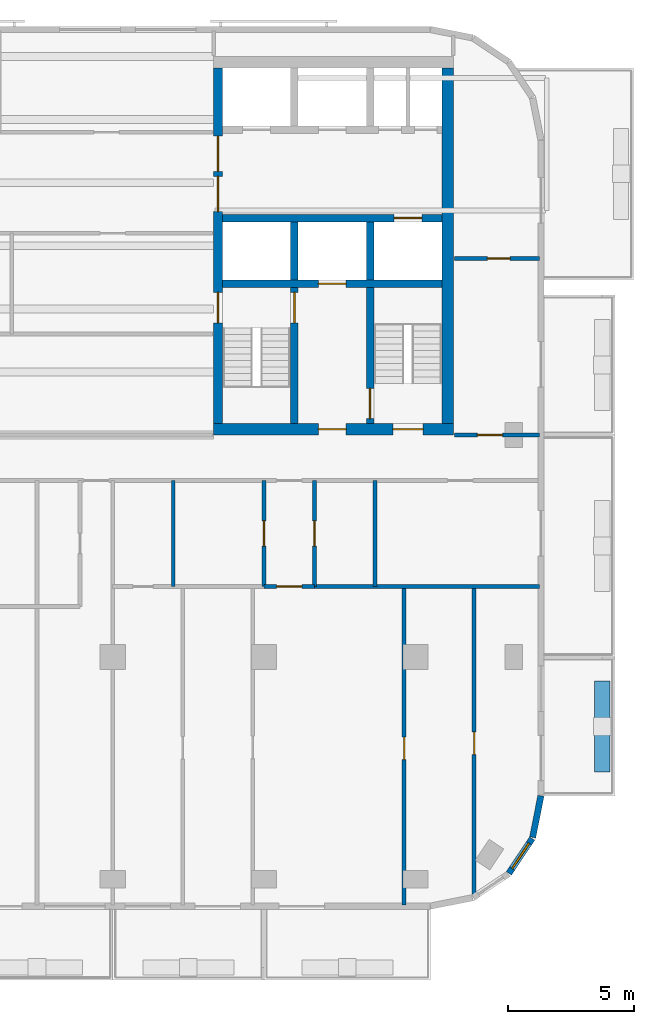
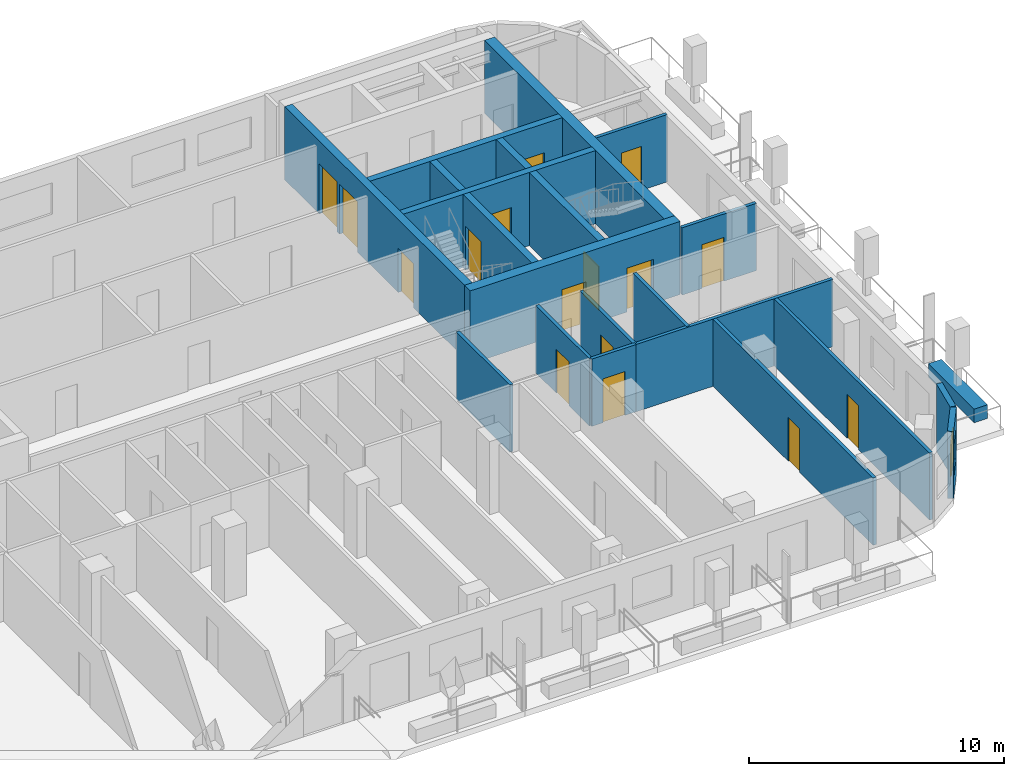
# One storey, part 5 of 11: 22 walls, 16 doors, 1 window, 17 openings.
"""IFC4 building model written with IfcOpenShell, lengths in metres."""

from ifc_helpers import new_model, si_unit, direction, frame, frame_2d, origin, place, context, subcontext, project, spatial, rectangle, extrude, material, layer, layer_set, type_object, element, fill, save


model = new_model("IFC4")

# Units and contexts
model_context = context("Model", 3, precision=1e-05, world=origin(), true_north=direction((0.0, 1.0)))
body_context = subcontext(model_context, "Body", "Model", "MODEL_VIEW")
ifc_project = project(units=[si_unit("LENGTHUNIT", "METRE"), si_unit("AREAUNIT", "SQUARE_METRE"), si_unit("VOLUMEUNIT", "CUBIC_METRE"), si_unit("PLANEANGLEUNIT", "RADIAN"), si_unit("MASSUNIT", "GRAM", prefix="KILO")], contexts=[model_context])

# Site, building, storey
site_placement = place(None, origin())
site = spatial("IfcSite", under=ifc_project, at=site_placement, CompositionType="ELEMENT")
building_placement = place(site_placement, origin())
building = spatial("IfcBuilding", under=site, at=building_placement, Name="Torana Hotel and Residences", CompositionType="ELEMENT")
storey_placement = place(building_placement, frame((0.0, 0.0, 291.10009765625)))
storey = spatial("IfcBuildingStorey", under=building, at=storey_placement, Name="L77", CompositionType="ELEMENT", Elevation=291.10009765625)

# Wall, opening, door
ifc_material_1 = material(Name="Concrete C60/75", Category="concrete")
ifc_layer_1 = layer(ifc_material_1, 0.300048828125)
ifc_layer_set_1 = layer_set([ifc_layer_1], Name="CORE WALL 300 C60/75")
wall_type_1 = type_object("IfcWallType", Name="CORE WALL 300 C60/75", PredefinedType="SHEAR", material=ifc_layer_set_1)
wall_1_placement = place(storey_placement, frame((10.35009765625, -6.39990234375, 0.0), z_axis=(0.0, 0.0, 1.0), x_axis=(1.0, 0.0, 0.0)))
wall_1 = element("IfcWall", 1, at=wall_1_placement, inside=storey, type_object=wall_type_1, Name="Core wall E row-S", PredefinedType="SHEAR", context=body_context, shape_type="SweptSolid", body=[
    extrude(rectangle(XDim=8.699951171875, YDim=0.300048828125, at=frame_2d((4.35009765625, 0.0))), origin(), (0.0, 0.0, 1.0), 3.5),
])
opening_1_placement = place(wall_1_placement, frame((6.800048828125, 0.0, 0.0)))
opening_1 = element("IfcOpeningElement", 2, at=opening_1_placement, cuts=wall_1, Name="Opening LD", PredefinedType="OPENING", context=body_context, shape_type="SweptSolid", body=[
    extrude(rectangle(XDim=1.10009765625, YDim=2.10009765625, at=frame_2d((0.550048828125, 1.050048828125))), frame((0.0, 0.159912109375, 0.0), z_axis=(0.0, -1.0, 0.0), x_axis=(1.0, 0.0, 0.0)), (0.0, 0.0, 1.0), 0.320068359375),
])
ifc_material_2 = material(Name="Stainless steel 316", Category="steel")
door_type_1 = type_object("IfcDoorType", Name="LIFT LANDING DOOR LD 1100x2100", OperationType="DOUBLE_DOOR_SLIDING", PredefinedType="USERDEFINED", material=ifc_material_2)
door_1_placement = place(opening_1_placement, origin())
door_1 = element("IfcDoor", 3, at=door_1_placement, inside=storey, type_object=door_type_1, Name="Lift landing door SV2 L77", ObjectType="LIFT LANDING DOOR", OperationType="DOUBLE_DOOR_SLIDING", OverallHeight=2.10009765625, OverallWidth=1.10009765625, PredefinedType="USERDEFINED", context=body_context, shape_type="SweptSolid", body=[
    extrude(rectangle(XDim=1.10009765625, YDim=2.10009765625, at=frame_2d((0.550048828125, 1.050048828125))), frame((0.0, 0.02490234375, 0.0), z_axis=(0.0, -1.0, 0.0), x_axis=(1.0, 0.0, 0.0)), (0.0, 0.0, 1.0), 0.050048828125),
])
fill(opening_1, door_1)

wall_2_placement = place(storey_placement, frame((10.35009765625, -9.0, 0.0), z_axis=(0.0, 0.0, 1.0), x_axis=(1.0, 0.0, 0.0)))
wall_2 = element("IfcWall", 4, at=wall_2_placement, inside=storey, type_object=wall_type_1, Name="Core wall E band", PredefinedType="SHEAR", context=body_context, shape_type="SweptSolid", body=[
    extrude(rectangle(XDim=8.699951171875, YDim=0.300048828125, at=frame_2d((4.35009765625, 0.0))), origin(), (0.0, 0.0, 1.0), 3.5),
])
opening_2_placement = place(wall_2_placement, frame((3.800048828125, 0.0, 0.0)))
opening_2 = element("IfcOpeningElement", 5, at=opening_2_placement, cuts=wall_2, Name="Opening LD", PredefinedType="OPENING", context=body_context, shape_type="SweptSolid", body=[
    extrude(rectangle(XDim=1.10009765625, YDim=2.10009765625, at=frame_2d((0.550048828125, 1.050048828125))), frame((0.0, 0.159912109375, 0.0), z_axis=(0.0, -1.0, 0.0), x_axis=(1.0, 0.0, 0.0)), (0.0, 0.0, 1.0), 0.320068359375),
])
door_2_placement = place(opening_2_placement, origin())
door_2 = element("IfcDoor", 6, at=door_2_placement, inside=storey, type_object=door_type_1, Name="Lift landing door FF2 L77", ObjectType="LIFT LANDING DOOR", OperationType="DOUBLE_DOOR_SLIDING", OverallHeight=2.10009765625, OverallWidth=1.10009765625, PredefinedType="USERDEFINED", context=body_context, shape_type="SweptSolid", body=[
    extrude(rectangle(XDim=1.10009765625, YDim=2.10009765625, at=frame_2d((0.550048828125, 1.050048828125))), frame((0.0, 0.02490234375, 0.0), z_axis=(0.0, -1.0, 0.0), x_axis=(1.0, 0.0, 0.0)), (0.0, 0.0, 1.0), 0.050048828125),
])
fill(opening_2, door_2)

# Wall
wall_3_placement = place(storey_placement, frame((13.199951171875, -8.85009765625, 0.0), z_axis=(0.0, 0.0, 1.0), x_axis=(0.0, 1.0, 0.0)))
element("IfcWall", 7, at=wall_3_placement, inside=storey, type_object=wall_type_1, Name="Core wall E x3.05-S", PredefinedType="SHEAR", context=body_context, shape_type="SweptSolid", body=[
    extrude(rectangle(XDim=2.300048828125, YDim=0.300048828125, at=frame_2d((1.14990234375, 0.0))), origin(), (0.0, 0.0, 1.0), 3.5),
])

# Wall, opening, door
wall_4_placement = place(storey_placement, frame((13.199951171875, -14.550048828125, 0.0), z_axis=(0.0, 0.0, 1.0), x_axis=(0.0, 1.0, 0.0)))
wall_4 = element("IfcWall", 8, at=wall_4_placement, inside=storey, type_object=wall_type_1, Name="Core wall E x3.05-band", PredefinedType="SHEAR", context=body_context, shape_type="SweptSolid", body=[
    extrude(rectangle(XDim=5.400146484375, YDim=0.300048828125, at=frame_2d((2.7001953125, 0.0))), origin(), (0.0, 0.0, 1.0), 3.5),
])
opening_3_placement = place(wall_4_placement, frame((4.0, 0.0, 0.0)))
opening_3 = element("IfcOpeningElement", 9, at=opening_3_placement, cuts=wall_4, Name="Opening L77-17", PredefinedType="OPENING", context=body_context, shape_type="SweptSolid", body=[
    extrude(rectangle(XDim=1.199951171875, YDim=2.10009765625, at=frame_2d((0.60009765625, 1.050048828125))), frame((0.0, 0.159912109375, 0.0), z_axis=(0.0, -1.0, 0.0), x_axis=(1.0, 0.0, 0.0)), (0.0, 0.0, 1.0), 0.320068359375),
])
ifc_material_3 = material(Name="Steel S235", Category="steel")
door_type_2 = type_object("IfcDoorType", Name="STAIR FIRE DOOR D3 1200x2100", OperationType="SINGLE_SWING_LEFT", PredefinedType="DOOR", material=ifc_material_3)
door_3_placement = place(opening_3_placement, origin())
door_3 = element("IfcDoor", 10, at=door_3_placement, inside=storey, type_object=door_type_2, Name="Stair-A-lobby door L77", OperationType="SINGLE_SWING_LEFT", OverallHeight=2.10009765625, OverallWidth=1.199951171875, PredefinedType="DOOR", context=body_context, shape_type="SweptSolid", body=[
    extrude(rectangle(XDim=1.199951171875, YDim=2.10009765625, at=frame_2d((0.60009765625, 1.050048828125))), frame((0.0, 0.02490234375, 0.0), z_axis=(0.0, -1.0, 0.0), x_axis=(1.0, 0.0, 0.0)), (0.0, 0.0, 1.0), 0.050048828125),
])
fill(opening_3, door_3)

# Wall
wall_5_placement = place(storey_placement, frame((16.199951171875, -8.85009765625, 0.0), z_axis=(0.0, 0.0, 1.0), x_axis=(0.0, 1.0, 0.0)))
element("IfcWall", 11, at=wall_5_placement, inside=storey, type_object=wall_type_1, Name="Core wall E x6.05-S", PredefinedType="SHEAR", context=body_context, shape_type="SweptSolid", body=[
    extrude(rectangle(XDim=2.300048828125, YDim=0.300048828125, at=frame_2d((1.14990234375, 0.0))), origin(), (0.0, 0.0, 1.0), 3.5),
])

# Wall, opening, door
wall_6_placement = place(storey_placement, frame((16.199951171875, -14.550048828125, 0.0), z_axis=(0.0, 0.0, 1.0), x_axis=(0.0, 1.0, 0.0)))
wall_6 = element("IfcWall", 12, at=wall_6_placement, inside=storey, type_object=wall_type_1, Name="Core wall E x6.05-band", PredefinedType="SHEAR", context=body_context, shape_type="SweptSolid", body=[
    extrude(rectangle(XDim=5.400146484375, YDim=0.300048828125, at=frame_2d((2.7001953125, 0.0))), origin(), (0.0, 0.0, 1.0), 3.5),
])
opening_4_placement = place(wall_6_placement, frame((0.199951171875, 0.0, 0.0)))
opening_4 = element("IfcOpeningElement", 13, at=opening_4_placement, cuts=wall_6, Name="Opening L77-18", PredefinedType="OPENING", context=body_context, shape_type="SweptSolid", body=[
    extrude(rectangle(XDim=1.199951171875, YDim=2.10009765625, at=frame_2d((0.60009765625, 1.050048828125))), frame((0.0, 0.159912109375, 0.0), z_axis=(0.0, -1.0, 0.0), x_axis=(1.0, 0.0, 0.0)), (0.0, 0.0, 1.0), 0.320068359375),
])
door_4_placement = place(opening_4_placement, frame((0.60009765625, 0.0, 0.0), z_axis=(0.0, 0.0, 1.0), x_axis=(-1.0, 0.0, 0.0)))
door_4 = element("IfcDoor", 14, at=door_4_placement, inside=storey, type_object=door_type_2, Name="Stair-B-lobby door L77", OperationType="SINGLE_SWING_LEFT", OverallHeight=2.10009765625, OverallWidth=1.199951171875, PredefinedType="DOOR", context=body_context, shape_type="SweptSolid", body=[
    extrude(rectangle(XDim=1.199951171875, YDim=2.10009765625, at=frame_2d((0.0, 1.050048828125))), frame((0.0, -0.02490234375, 0.0), z_axis=(0.0, 1.0, 0.0), x_axis=(-1.0, 0.0, 0.0)), (0.0, 0.0, 1.0), 0.050048828125),
])
fill(opening_4, door_4)

# Wall, openings, doors
ifc_material_4 = material(Name="Concrete C60/75", Category="concrete")
ifc_layer_2 = layer(ifc_material_4, 0.35009765625)
ifc_layer_set_2 = layer_set([ifc_layer_2], Name="CORE WALL 350 C60/75")
wall_type_2 = type_object("IfcWallType", Name="CORE WALL 350 C60/75", PredefinedType="SHEAR", material=ifc_layer_set_2)
wall_7_placement = place(storey_placement, frame((10.175048828125, -14.550048828125, 0.0), z_axis=(0.0, 0.0, 1.0), x_axis=(0.0, 1.0, 0.0)))
wall_7 = element("IfcWall", 15, at=wall_7_placement, inside=storey, type_object=wall_type_2, Name="Core wall E arch", PredefinedType="SHEAR", context=body_context, shape_type="SweptSolid", body=[
    extrude(rectangle(XDim=14.10009765625, YDim=0.35009765625, at=frame_2d((7.050048828125, 0.0))), origin(), (0.0, 0.0, 1.0), 3.5),
])
opening_5_placement = place(wall_7_placement, frame((8.39990234375, 0.0, 0.0)))
opening_5 = element("IfcOpeningElement", 16, at=opening_5_placement, cuts=wall_7, Name="Opening L77-10", PredefinedType="OPENING", context=body_context, shape_type="SweptSolid", body=[
    extrude(rectangle(XDim=1.39990234375, YDim=2.39990234375, at=frame_2d((0.699951171875, 1.199951171875))), frame((0.0, 0.18505859375, 0.0), z_axis=(0.0, -1.0, 0.0), x_axis=(1.0, 0.0, 0.0)), (0.0, 0.0, 1.0), 0.3701171875),
])
opening_6_placement = place(wall_7_placement, frame((10.0, 0.0, 0.0)))
opening_6 = element("IfcOpeningElement", 17, at=opening_6_placement, cuts=wall_7, Name="Opening L77-11", PredefinedType="OPENING", context=body_context, shape_type="SweptSolid", body=[
    extrude(rectangle(XDim=1.39990234375, YDim=2.39990234375, at=frame_2d((0.699951171875, 1.199951171875))), frame((0.0, 0.18505859375, 0.0), z_axis=(0.0, -1.0, 0.0), x_axis=(1.0, 0.0, 0.0)), (0.0, 0.0, 1.0), 0.3701171875),
])
opening_7_placement = place(wall_7_placement, frame((4.0, 0.0, 0.0)))
opening_7 = element("IfcOpeningElement", 18, at=opening_7_placement, cuts=wall_7, Name="Opening L77-12", PredefinedType="OPENING", context=body_context, shape_type="SweptSolid", body=[
    extrude(rectangle(XDim=1.199951171875, YDim=2.10009765625, at=frame_2d((0.60009765625, 1.050048828125))), frame((0.0, 0.18505859375, 0.0), z_axis=(0.0, -1.0, 0.0), x_axis=(1.0, 0.0, 0.0)), (0.0, 0.0, 1.0), 0.3701171875),
])
ifc_material_5 = material(Name="Steel S235", Category="steel")
door_type_3 = type_object("IfcDoorType", Name="LOBBY FIRE DOOR D4 1400x2400", OperationType="DOUBLE_DOOR_SINGLE_SWING", PredefinedType="DOOR", material=ifc_material_5)
door_5_placement = place(opening_5_placement, origin())
door_5 = element("IfcDoor", 19, at=door_5_placement, inside=storey, type_object=door_type_3, Name="Lobby-1 door L77", OperationType="DOUBLE_DOOR_SINGLE_SWING", OverallHeight=2.39990234375, OverallWidth=1.39990234375, PredefinedType="DOOR", context=body_context, shape_type="SweptSolid", body=[
    extrude(rectangle(XDim=1.39990234375, YDim=2.39990234375, at=frame_2d((0.699951171875, 1.199951171875))), frame((0.0, 0.02490234375, 0.0), z_axis=(0.0, -1.0, 0.0), x_axis=(1.0, 0.0, 0.0)), (0.0, 0.0, 1.0), 0.050048828125),
])
fill(opening_5, door_5)
door_6_placement = place(opening_6_placement, origin())
door_6 = element("IfcDoor", 20, at=door_6_placement, inside=storey, type_object=door_type_3, Name="Lobby-2 door L77", OperationType="DOUBLE_DOOR_SINGLE_SWING", OverallHeight=2.39990234375, OverallWidth=1.39990234375, PredefinedType="DOOR", context=body_context, shape_type="SweptSolid", body=[
    extrude(rectangle(XDim=1.39990234375, YDim=2.39990234375, at=frame_2d((0.699951171875, 1.199951171875))), frame((0.0, 0.02490234375, 0.0), z_axis=(0.0, -1.0, 0.0), x_axis=(1.0, 0.0, 0.0)), (0.0, 0.0, 1.0), 0.050048828125),
])
fill(opening_6, door_6)
door_7_placement = place(opening_7_placement, frame((0.60009765625, 0.0, 0.0), z_axis=(0.0, 0.0, 1.0), x_axis=(-1.0, 0.0, 0.0)))
door_7 = element("IfcDoor", 21, at=door_7_placement, inside=storey, type_object=door_type_2, Name="Stair-A door L77", OperationType="SINGLE_SWING_RIGHT", OverallHeight=2.10009765625, OverallWidth=1.199951171875, PredefinedType="DOOR", context=body_context, shape_type="SweptSolid", body=[
    extrude(rectangle(XDim=1.199951171875, YDim=2.10009765625, at=frame_2d((0.0, 1.050048828125))), frame((0.0, -0.02490234375, 0.0), z_axis=(0.0, 1.0, 0.0), x_axis=(-1.0, 0.0, 0.0)), (0.0, 0.0, 1.0), 0.050048828125),
])
fill(opening_7, door_7)

ifc_material_6 = material(Name="Concrete C60/75", Category="concrete")
ifc_layer_3 = layer(ifc_material_6, 0.449951171875)
ifc_layer_set_3 = layer_set([ifc_layer_3], Name="CORE WALL 450 C60/75")
wall_type_3 = type_object("IfcWallType", Name="CORE WALL 450 C60/75", PredefinedType="SHEAR", material=ifc_layer_set_3)
wall_8_placement = place(storey_placement, frame((10.0, -14.77490234375, 0.0), z_axis=(0.0, 0.0, 1.0), x_axis=(1.0, 0.0, 0.0)))
wall_8 = element("IfcWall", 22, at=wall_8_placement, inside=storey, type_object=wall_type_3, Name="Core wall E front", PredefinedType="SHEAR", context=body_context, shape_type="SweptSolid", body=[
    extrude(rectangle(XDim=9.5, YDim=0.449951171875, at=frame_2d((4.75, 0.0))), origin(), (0.0, 0.0, 1.0), 3.5),
])
opening_8_placement = place(wall_8_placement, frame((7.10009765625, 0.0, 0.0)))
opening_8 = element("IfcOpeningElement", 23, at=opening_8_placement, cuts=wall_8, Name="Opening L77-13", PredefinedType="OPENING", context=body_context, shape_type="SweptSolid", body=[
    extrude(rectangle(XDim=1.199951171875, YDim=2.10009765625, at=frame_2d((0.60009765625, 1.050048828125))), frame((0.0, 0.23486328125, 0.0), z_axis=(0.0, -1.0, 0.0), x_axis=(1.0, 0.0, 0.0)), (0.0, 0.0, 1.0), 0.469970703125),
])
opening_9_placement = place(wall_8_placement, frame((4.14990234375, 0.0, 0.0)))
opening_9 = element("IfcOpeningElement", 24, at=opening_9_placement, cuts=wall_8, Name="Opening L77-14", PredefinedType="OPENING", context=body_context, shape_type="SweptSolid", body=[
    extrude(rectangle(XDim=1.10009765625, YDim=2.10009765625, at=frame_2d((0.550048828125, 1.050048828125))), frame((0.0, 0.23486328125, 0.0), z_axis=(0.0, -1.0, 0.0), x_axis=(1.0, 0.0, 0.0)), (0.0, 0.0, 1.0), 0.469970703125),
])
ifc_material_7 = material(Name="Steel S235", Category="steel")
door_type_4 = type_object("IfcDoorType", Name="FIRE-FIGHTING LOBBY DOOR D8 1100x2100", OperationType="SINGLE_SWING_LEFT", PredefinedType="DOOR", material=ifc_material_7)
door_8_placement = place(opening_9_placement, origin())
door_8 = element("IfcDoor", 25, at=door_8_placement, inside=storey, type_object=door_type_4, Name="FF-lobby door L77", OperationType="SINGLE_SWING_RIGHT", OverallHeight=2.10009765625, OverallWidth=1.10009765625, PredefinedType="DOOR", context=body_context, shape_type="SweptSolid", body=[
    extrude(rectangle(XDim=1.10009765625, YDim=2.10009765625, at=frame_2d((0.550048828125, 1.050048828125))), frame((0.0, 0.02490234375, 0.0), z_axis=(0.0, -1.0, 0.0), x_axis=(1.0, 0.0, 0.0)), (0.0, 0.0, 1.0), 0.050048828125),
])
fill(opening_9, door_8)
door_9_placement = place(opening_8_placement, origin())
door_9 = element("IfcDoor", 26, at=door_9_placement, inside=storey, type_object=door_type_2, Name="Stair-B door L77", OperationType="SINGLE_SWING_RIGHT", OverallHeight=2.10009765625, OverallWidth=1.199951171875, PredefinedType="DOOR", context=body_context, shape_type="SweptSolid", body=[
    extrude(rectangle(XDim=1.199951171875, YDim=2.10009765625, at=frame_2d((0.60009765625, 1.050048828125))), frame((0.0, 0.02490234375, 0.0), z_axis=(0.0, -1.0, 0.0), x_axis=(1.0, 0.0, 0.0)), (0.0, 0.0, 1.0), 0.050048828125),
])
fill(opening_8, door_9)

# Wall
wall_9_placement = place(storey_placement, frame((19.27490234375, -14.550048828125, 0.0), z_axis=(0.0, 0.0, 1.0), x_axis=(0.0, 1.0, 0.0)))
element("IfcWall", 27, at=wall_9_placement, inside=storey, type_object=wall_type_3, Name="Core wall E outer", PredefinedType="SHEAR", context=body_context, shape_type="SweptSolid", body=[
    extrude(rectangle(XDim=14.10009765625, YDim=0.449951171875, at=frame_2d((7.050048828125, 0.0))), origin(), (0.0, 0.0, 1.0), 3.5),
])

# Wall, opening, window
ifc_material_8 = material(Name="Black aluminium composite panel", Category="aluminium")
ifc_layer_4 = layer(ifc_material_8, 0.00390625, Name="Cladding", Category="cladding")
ifc_material_9 = material(Name="Ventilated air cavity")
ifc_layer_5 = layer(ifc_material_9, 0.0400390625, Name="Ventilated cavity", Category="cavity")
ifc_material_10 = material(Name="Mineral wool insulation")
ifc_layer_6 = layer(ifc_material_10, 0.090087890625, Name="Insulation", Category="insulation")
ifc_material_11 = material(Name="Steel S280GD", Category="steel")
ifc_layer_7 = layer(ifc_material_11, 0.092041015625, Name="Steel stud frame", Category="structure")
ifc_material_12 = material(Name="Fire rated plasterboard")
ifc_layer_8 = layer(ifc_material_12, 0.011962890625, Name="Inner board", Category="finish")
ifc_layer_9 = layer(ifc_material_12, 0.011962890625, Name="Second board", Category="finish")
ifc_layer_set_4 = layer_set([ifc_layer_4, ifc_layer_5, ifc_layer_6, ifc_layer_7, ifc_layer_8, ifc_layer_9], Name="EW1 EXTERNAL WALL BLACK METAL CLAD 250")
wall_type_4 = type_object("IfcWallType", Name="EW1 EXTERNAL WALL BLACK METAL CLAD 250", PredefinedType="SOLIDWALL", material=ifc_layer_set_4)
wall_10_placement = place(storey_placement, frame((21.705810546875, -32.37109375, 0.0), z_axis=(0.0, 0.0, 1.0), x_axis=(0.55555029066, 0.831482937015, 0.0)))
wall_10 = element("IfcWall", 28, at=wall_10_placement, inside=storey, type_object=wall_type_4, Name="External wall L77 e0.17", PredefinedType="SOLIDWALL", context=body_context, shape_type="SweptSolid", body=[
    extrude(rectangle(XDim=1.65625, YDim=0.25, at=frame_2d((0.828125, 0.0))), origin(), (0.0, 0.0, 1.0), 3.219970703125),
])
opening_10_placement = place(wall_10_placement, frame((0.228271484375, 0.0, 0.89990234375)))
opening_10 = element("IfcOpeningElement", 29, at=opening_10_placement, cuts=wall_10, Name="Opening W5", PredefinedType="OPENING", context=body_context, shape_type="SweptSolid", body=[
    extrude(rectangle(XDim=1.199951171875, YDim=1.5, at=frame_2d((0.60009765625, 0.75))), frame((0.0, 0.135009765625, 0.0), z_axis=(0.0, -1.0, 0.0), x_axis=(1.0, 0.0, 0.0)), (0.0, 0.0, 1.0), 0.27001953125),
])
ifc_material_13 = material(Name="Dark glass in black aluminium frame", Category="aluminium")
window_type = type_object("IfcWindowType", Name="W5 CORNER FACET WINDOW 1200x1500", PartitioningType="SINGLE_PANEL", PredefinedType="WINDOW", material=ifc_material_13)
window_placement = place(opening_10_placement, origin())
window = element("IfcWindow", 30, at=window_placement, inside=storey, type_object=window_type, Name="Window L77 e0.17", OverallHeight=1.5, OverallWidth=1.199951171875, PartitioningType="SINGLE_PANEL", PredefinedType="WINDOW", context=body_context, shape_type="SweptSolid", body=[
    extrude(rectangle(XDim=1.199951171875, YDim=1.5, at=frame_2d((0.60009765625, 0.75))), frame((0.0, 0.030029296875, 0.0), z_axis=(0.0, -1.0, 0.0), x_axis=(1.0, 0.0, 0.0)), (0.0, 0.0, 1.0), 0.06005859375),
])
fill(opening_10, window)

# Wall
wall_11_placement = place(storey_placement, frame((22.64453125, -30.948974609375, 0.0), z_axis=(0.0, 0.0, 1.0), x_axis=(0.19513878023, 0.980775640221, 0.0)))
element("IfcWall", 31, at=wall_11_placement, inside=storey, type_object=wall_type_4, Name="External wall L77 e0.18", PredefinedType="SOLIDWALL", context=body_context, shape_type="SweptSolid", body=[
    extrude(rectangle(XDim=1.681396484375, YDim=0.25, at=frame_2d((0.8408203125, 0.0))), origin(), (0.0, 0.0, 1.0), 3.219970703125),
])

# Wall, opening, door
ifc_material_14 = material(Name="Gypsum plaster")
ifc_layer_10 = layer(ifc_material_14, 0.014892578125, Name="Plaster", Category="finish")
ifc_material_15 = material(Name="Concrete blockwork", Category="masonry")
ifc_layer_11 = layer(ifc_material_15, 0.1201171875, Name="Blockwork", Category="structure")
ifc_layer_12 = layer(ifc_material_14, 0.014892578125, Name="Plaster", Category="finish")
ifc_layer_set_5 = layer_set([ifc_layer_10, ifc_layer_11, ifc_layer_12], Name="FIRE PARTITION 150 BLOCKWORK")
wall_type_5 = type_object("IfcWallType", Name="FIRE PARTITION 150 BLOCKWORK", PredefinedType="PARTITIONING", material=ifc_layer_set_5)
wall_12_placement = place(storey_placement, frame((14.0, -21.0, 0.0), z_axis=(0.0, 0.0, 1.0), x_axis=(0.0, 1.0, 0.0)))
wall_12 = element("IfcWall", 32, at=wall_12_placement, inside=storey, type_object=wall_type_5, Name="Partition L77", PredefinedType="PARTITIONING", context=body_context, shape_type="SweptSolid", body=[
    extrude(rectangle(XDim=4.199951171875, YDim=0.14990234375, at=frame_2d((2.10009765625, 0.0))), origin(), (0.0, 0.0, 1.0), 3.219970703125),
])
opening_11_placement = place(wall_12_placement, frame((1.60009765625, 0.0, 0.0)))
opening_11 = element("IfcOpeningElement", 33, at=opening_11_placement, cuts=wall_12, Name="Opening L77-53", PredefinedType="OPENING", context=body_context, shape_type="SweptSolid", body=[
    extrude(rectangle(XDim=1.0, YDim=2.10009765625, at=frame_2d((0.5, 1.050048828125))), frame((0.0, 0.0849609375, 0.0), z_axis=(0.0, -1.0, 0.0), x_axis=(1.0, 0.0, 0.0)), (0.0, 0.0, 1.0), 0.169921875),
])
ifc_material_16 = material(Name="Steel S235", Category="steel")
door_type_5 = type_object("IfcDoorType", Name="ENTRY FIRE DOOR D6 1000x2100", OperationType="SINGLE_SWING_LEFT", PredefinedType="DOOR", material=ifc_material_16)
door_10_placement = place(opening_11_placement, frame((0.5, 0.0, 0.0), z_axis=(0.0, 0.0, 1.0), x_axis=(-1.0, 0.0, 0.0)))
door_10 = element("IfcDoor", 34, at=door_10_placement, inside=storey, type_object=door_type_5, Name="Door L77", OperationType="SINGLE_SWING_LEFT", OverallHeight=2.10009765625, OverallWidth=1.0, PredefinedType="DOOR", context=body_context, shape_type="SweptSolid", body=[
    extrude(rectangle(XDim=1.0, YDim=2.10009765625, at=frame_2d((0.0, 1.050048828125))), frame((0.0, -0.02490234375, 0.0), z_axis=(0.0, 1.0, 0.0), x_axis=(-1.0, 0.0, 0.0)), (0.0, 0.0, 1.0), 0.050048828125),
])
fill(opening_11, door_10)

wall_13_placement = place(storey_placement, frame((12.0, -21.0, 0.0), z_axis=(0.0, 0.0, 1.0), x_axis=(0.0, 1.0, 0.0)))
wall_13 = element("IfcWall", 35, at=wall_13_placement, inside=storey, type_object=wall_type_5, Name="Partition L77", PredefinedType="PARTITIONING", context=body_context, shape_type="SweptSolid", body=[
    extrude(rectangle(XDim=4.199951171875, YDim=0.14990234375, at=frame_2d((2.10009765625, 0.0))), origin(), (0.0, 0.0, 1.0), 3.219970703125),
])
opening_12_placement = place(wall_13_placement, frame((1.60009765625, 0.0, 0.0)))
opening_12 = element("IfcOpeningElement", 36, at=opening_12_placement, cuts=wall_13, Name="Opening L77-52", PredefinedType="OPENING", context=body_context, shape_type="SweptSolid", body=[
    extrude(rectangle(XDim=1.0, YDim=2.10009765625, at=frame_2d((0.5, 1.050048828125))), frame((0.0, 0.0849609375, 0.0), z_axis=(0.0, -1.0, 0.0), x_axis=(1.0, 0.0, 0.0)), (0.0, 0.0, 1.0), 0.169921875),
])
door_11_placement = place(opening_12_placement, origin())
door_11 = element("IfcDoor", 37, at=door_11_placement, inside=storey, type_object=door_type_5, Name="Door L77", OperationType="SINGLE_SWING_RIGHT", OverallHeight=2.10009765625, OverallWidth=1.0, PredefinedType="DOOR", context=body_context, shape_type="SweptSolid", body=[
    extrude(rectangle(XDim=1.0, YDim=2.10009765625, at=frame_2d((0.5, 1.050048828125))), frame((0.0, 0.02490234375, 0.0), z_axis=(0.0, -1.0, 0.0), x_axis=(1.0, 0.0, 0.0)), (0.0, 0.0, 1.0), 0.050048828125),
])
fill(opening_12, door_11)

wall_14_placement = place(storey_placement, frame((12.0, -21.0, 0.0), z_axis=(0.0, 0.0, 1.0), x_axis=(1.0, 0.0, 0.0)))
wall_14 = element("IfcWall", 38, at=wall_14_placement, inside=storey, type_object=wall_type_5, Name="Partition L77", PredefinedType="PARTITIONING", context=body_context, shape_type="SweptSolid", body=[
    extrude(rectangle(XDim=2.0, YDim=0.14990234375, at=frame_2d((1.0, 0.0))), origin(), (0.0, 0.0, 1.0), 3.219970703125),
])
opening_13_placement = place(wall_14_placement, frame((0.5, 0.0, 0.0)))
opening_13 = element("IfcOpeningElement", 39, at=opening_13_placement, cuts=wall_14, Name="Opening L77-54", PredefinedType="OPENING", context=body_context, shape_type="SweptSolid", body=[
    extrude(rectangle(XDim=1.0, YDim=2.10009765625, at=frame_2d((0.5, 1.050048828125))), frame((0.0, 0.0849609375, 0.0), z_axis=(0.0, -1.0, 0.0), x_axis=(1.0, 0.0, 0.0)), (0.0, 0.0, 1.0), 0.169921875),
])
door_12_placement = place(opening_13_placement, frame((0.5, 0.0, 0.0), z_axis=(0.0, 0.0, 1.0), x_axis=(-1.0, 0.0, 0.0)))
door_12 = element("IfcDoor", 40, at=door_12_placement, inside=storey, type_object=door_type_5, Name="Door L77", OperationType="SINGLE_SWING_LEFT", OverallHeight=2.10009765625, OverallWidth=1.0, PredefinedType="DOOR", context=body_context, shape_type="SweptSolid", body=[
    extrude(rectangle(XDim=1.0, YDim=2.10009765625, at=frame_2d((0.0, 1.050048828125))), frame((0.0, -0.02490234375, 0.0), z_axis=(0.0, 1.0, 0.0), x_axis=(-1.0, 0.0, 0.0)), (0.0, 0.0, 1.0), 0.050048828125),
])
fill(opening_13, door_12)

wall_15_placement = place(storey_placement, frame((19.550048828125, -15.0, 0.0), z_axis=(0.0, 0.0, 1.0), x_axis=(1.0, 0.0, 0.0)))
wall_15 = element("IfcWall", 41, at=wall_15_placement, inside=storey, type_object=wall_type_5, Name="Partition L77", PredefinedType="PARTITIONING", context=body_context, shape_type="SweptSolid", body=[
    extrude(rectangle(XDim=3.369873046875, YDim=0.14990234375, at=frame_2d((1.68505859375, 0.0))), origin(), (0.0, 0.0, 1.0), 3.219970703125),
])
opening_14_placement = place(wall_15_placement, frame((0.89990234375, 0.0, 0.0)))
opening_14 = element("IfcOpeningElement", 42, at=opening_14_placement, cuts=wall_15, Name="Opening L77-29", PredefinedType="OPENING", context=body_context, shape_type="SweptSolid", body=[
    extrude(rectangle(XDim=1.0, YDim=2.10009765625, at=frame_2d((0.5, 1.050048828125))), frame((0.0, 0.0849609375, 0.0), z_axis=(0.0, -1.0, 0.0), x_axis=(1.0, 0.0, 0.0)), (0.0, 0.0, 1.0), 0.169921875),
])
ifc_material_17 = material(Name="Steel S235", Category="steel")
door_type_6 = type_object("IfcDoorType", Name="CORE ROOM FIRE DOOR D14 1000x2100", OperationType="SINGLE_SWING_LEFT", PredefinedType="DOOR", material=ifc_material_17)
door_13_placement = place(opening_14_placement, origin())
door_13 = element("IfcDoor", 43, at=door_13_placement, inside=storey, type_object=door_type_6, Name="Door L77", OperationType="SINGLE_SWING_LEFT", OverallHeight=2.10009765625, OverallWidth=1.0, PredefinedType="DOOR", context=body_context, shape_type="SweptSolid", body=[
    extrude(rectangle(XDim=1.0, YDim=2.10009765625, at=frame_2d((0.5, 1.050048828125))), frame((0.0, 0.02490234375, 0.0), z_axis=(0.0, -1.0, 0.0), x_axis=(1.0, 0.0, 0.0)), (0.0, 0.0, 1.0), 0.050048828125),
])
fill(opening_14, door_13)

ifc_material_18 = material(Name="Gypsum plasterboard")
ifc_layer_13 = layer(ifc_material_18, 0.012451171875, Name="Plasterboard", Category="finish")
ifc_layer_14 = layer(ifc_material_18, 0.012451171875, Name="Plasterboard", Category="finish")
ifc_layer_15 = layer(ifc_material_11, 0.10009765625, Name="Steel studs with mineral wool", Category="insulation")
ifc_layer_16 = layer(ifc_material_18, 0.012451171875, Name="Plasterboard", Category="finish")
ifc_layer_17 = layer(ifc_material_18, 0.012451171875, Name="Plasterboard", Category="finish")
ifc_layer_set_6 = layer_set([ifc_layer_13, ifc_layer_14, ifc_layer_15, ifc_layer_16, ifc_layer_17], Name="PARTITION 150 PLASTERBOARD")
wall_type_6 = type_object("IfcWallType", Name="PARTITION 150 PLASTERBOARD", PredefinedType="PARTITIONING", material=ifc_layer_set_6)
wall_16_placement = place(storey_placement, frame((20.324951171875, -33.239013671875, 0.0), z_axis=(0.0, 0.0, 1.0), x_axis=(0.0, 1.0, 0.0)))
wall_16 = element("IfcWall", 44, at=wall_16_placement, inside=storey, type_object=wall_type_6, Name="Partition L77", PredefinedType="PARTITIONING", context=body_context, shape_type="SweptSolid", body=[
    extrude(rectangle(XDim=12.239013671875, YDim=0.14990234375, at=frame_2d((6.11962890625, 0.0))), origin(), (0.0, 0.0, 1.0), 3.219970703125),
])
opening_15_placement = place(wall_16_placement, frame((5.569091796875, 0.0, 0.0)))
opening_15 = element("IfcOpeningElement", 45, at=opening_15_placement, cuts=wall_16, Name="Opening L77-58", PredefinedType="OPENING", context=body_context, shape_type="SweptSolid", body=[
    extrude(rectangle(XDim=0.89990234375, YDim=2.10009765625, at=frame_2d((0.449951171875, 1.050048828125))), frame((0.0, 0.0849609375, 0.0), z_axis=(0.0, -1.0, 0.0), x_axis=(1.0, 0.0, 0.0)), (0.0, 0.0, 1.0), 0.169921875),
])
ifc_material_19 = material(Name="Timber door, oiled ash", Category="wood")
door_type_7 = type_object("IfcDoorType", Name="ROOM DOOR D7 900x2100", OperationType="SINGLE_SWING_LEFT", PredefinedType="DOOR", material=ifc_material_19)
door_14_placement = place(opening_15_placement, origin())
door_14 = element("IfcDoor", 46, at=door_14_placement, inside=storey, type_object=door_type_7, Name="Door L77", OperationType="SINGLE_SWING_RIGHT", OverallHeight=2.10009765625, OverallWidth=0.89990234375, PredefinedType="DOOR", context=body_context, shape_type="SweptSolid", body=[
    extrude(rectangle(XDim=0.89990234375, YDim=2.10009765625, at=frame_2d((0.449951171875, 1.050048828125))), frame((0.0, 0.02490234375, 0.0), z_axis=(0.0, -1.0, 0.0), x_axis=(1.0, 0.0, 0.0)), (0.0, 0.0, 1.0), 0.050048828125),
])
fill(opening_15, door_14)

wall_17_placement = place(storey_placement, frame((17.550048828125, -33.6201171875, 0.0), z_axis=(0.0, 0.0, 1.0), x_axis=(0.0, 1.0, 0.0)))
wall_17 = element("IfcWall", 47, at=wall_17_placement, inside=storey, type_object=wall_type_6, Name="Partition L77", PredefinedType="PARTITIONING", context=body_context, shape_type="SweptSolid", body=[
    extrude(rectangle(XDim=12.6201171875, YDim=0.14990234375, at=frame_2d((6.31005859375, 0.0))), origin(), (0.0, 0.0, 1.0), 3.219970703125),
])
opening_16_placement = place(wall_17_placement, frame((5.75, 0.0, 0.0)))
opening_16 = element("IfcOpeningElement", 48, at=opening_16_placement, cuts=wall_17, Name="Opening L77-56", PredefinedType="OPENING", context=body_context, shape_type="SweptSolid", body=[
    extrude(rectangle(XDim=0.89990234375, YDim=2.10009765625, at=frame_2d((0.449951171875, 1.050048828125))), frame((0.0, 0.0849609375, 0.0), z_axis=(0.0, -1.0, 0.0), x_axis=(1.0, 0.0, 0.0)), (0.0, 0.0, 1.0), 0.169921875),
])
door_15_placement = place(opening_16_placement, origin())
door_15 = element("IfcDoor", 49, at=door_15_placement, inside=storey, type_object=door_type_7, Name="Door L77", OperationType="SINGLE_SWING_RIGHT", OverallHeight=2.10009765625, OverallWidth=0.89990234375, PredefinedType="DOOR", context=body_context, shape_type="SweptSolid", body=[
    extrude(rectangle(XDim=0.89990234375, YDim=2.10009765625, at=frame_2d((0.449951171875, 1.050048828125))), frame((0.0, 0.02490234375, 0.0), z_axis=(0.0, -1.0, 0.0), x_axis=(1.0, 0.0, 0.0)), (0.0, 0.0, 1.0), 0.050048828125),
])
fill(opening_16, door_15)

# Walls
for number, where, z_axis, x_axis, name in (
    (50, (16.39990234375, -21.0, 0.0), (0.0, 0.0, 1.0), (0.0, 1.0, 0.0), "Partition L77"),
    (51, (8.39990234375, -21.0, 0.0), (0.0, 0.0, 1.0), (0.0, 1.0, 0.0), "Partition L77"),
):
    element("IfcWall", number, at=place(storey_placement, frame(where, z_axis=z_axis, x_axis=x_axis)), inside=storey, type_object=wall_type_6, Name=name, PredefinedType="PARTITIONING", context=body_context, shape_type="SweptSolid", body=[
        extrude(rectangle(XDim=4.199951171875, YDim=0.14990234375, at=frame_2d((2.10009765625, 0.0))), origin(), (0.0, 0.0, 1.0), 3.219970703125),
    ])
wall_18_placement = place(storey_placement, frame((14.0, -21.0, 0.0), z_axis=(0.0, 0.0, 1.0), x_axis=(1.0, 0.0, 0.0)))
element("IfcWall", 52, at=wall_18_placement, inside=storey, type_object=wall_type_6, Name="Partition L77", PredefinedType="PARTITIONING", context=body_context, shape_type="SweptSolid", body=[
    extrude(rectangle(XDim=8.919921875, YDim=0.14990234375, at=frame_2d((4.4599609375, 0.0))), origin(), (0.0, 0.0, 1.0), 3.219970703125),
])

# Wall, opening, door
wall_19_placement = place(storey_placement, frame((19.550048828125, -8.0, 0.0), z_axis=(0.0, 0.0, 1.0), x_axis=(1.0, 0.0, 0.0)))
wall_19 = element("IfcWall", 53, at=wall_19_placement, inside=storey, type_object=wall_type_6, Name="Partition L77", PredefinedType="PARTITIONING", context=body_context, shape_type="SweptSolid", body=[
    extrude(rectangle(XDim=3.369873046875, YDim=0.14990234375, at=frame_2d((1.68505859375, 0.0))), origin(), (0.0, 0.0, 1.0), 3.219970703125),
])
opening_17_placement = place(wall_19_placement, frame((1.300048828125, 0.0, 0.0)))
opening_17 = element("IfcOpeningElement", 54, at=opening_17_placement, cuts=wall_19, Name="Opening L77-60", PredefinedType="OPENING", context=body_context, shape_type="SweptSolid", body=[
    extrude(rectangle(XDim=0.89990234375, YDim=2.10009765625, at=frame_2d((0.449951171875, 1.050048828125))), frame((0.0, 0.0849609375, 0.0), z_axis=(0.0, -1.0, 0.0), x_axis=(1.0, 0.0, 0.0)), (0.0, 0.0, 1.0), 0.169921875),
])
door_16_placement = place(opening_17_placement, origin())
door_16 = element("IfcDoor", 55, at=door_16_placement, inside=storey, type_object=door_type_7, Name="Door L77", OperationType="SINGLE_SWING_LEFT", OverallHeight=2.10009765625, OverallWidth=0.89990234375, PredefinedType="DOOR", context=body_context, shape_type="SweptSolid", body=[
    extrude(rectangle(XDim=0.89990234375, YDim=2.10009765625, at=frame_2d((0.449951171875, 1.050048828125))), frame((0.0, 0.02490234375, 0.0), z_axis=(0.0, -1.0, 0.0), x_axis=(1.0, 0.0, 0.0)), (0.0, 0.0, 1.0), 0.050048828125),
])
fill(opening_17, door_16)

# Wall
ifc_material_20 = material(Name="Concrete C40/50 precast", Category="concrete")
ifc_layer_18 = layer(ifc_material_20, 0.10009765625, Name="Planter shell", Category="structure")
ifc_material_21 = material(Name="Root resistant membrane")
ifc_layer_19 = layer(ifc_material_21, 0.00390625, Name="Waterproofing membrane", Category="membrane")
ifc_material_22 = material(Name="Drainage board with filter fleece")
ifc_layer_20 = layer(ifc_material_22, 0.02001953125, Name="Drainage board", Category="drainage")
ifc_material_23 = material(Name="Growing medium")
ifc_layer_21 = layer(ifc_material_23, 0.47607421875, Name="Planting substrate", Category="soil")
ifc_layer_set_7 = layer_set([ifc_layer_18, ifc_layer_19, ifc_layer_20, ifc_layer_21], Name="PL1 BALCONY PLANTER 600")
wall_type_7 = type_object("IfcWallType", Name="PL1 BALCONY PLANTER 600", PredefinedType="USERDEFINED", material=ifc_layer_set_7)
wall_20_placement = place(storey_placement, frame((25.39990234375, -24.75, 0.0), z_axis=(0.0, 0.0, 1.0), x_axis=(0.0, -1.0, 0.0)))
element("IfcWall", 56, at=wall_20_placement, inside=storey, type_object=wall_type_7, Name="Planter 11", ObjectType="PLANTER", PredefinedType="USERDEFINED", context=body_context, shape_type="SweptSolid", body=[
    extrude(rectangle(XDim=3.60009765625, YDim=0.60009765625, at=frame_2d((1.800048828125, 0.0))), origin(), (0.0, 0.0, 1.0), 0.64990234375),
])

save(model, "model.ifc")
